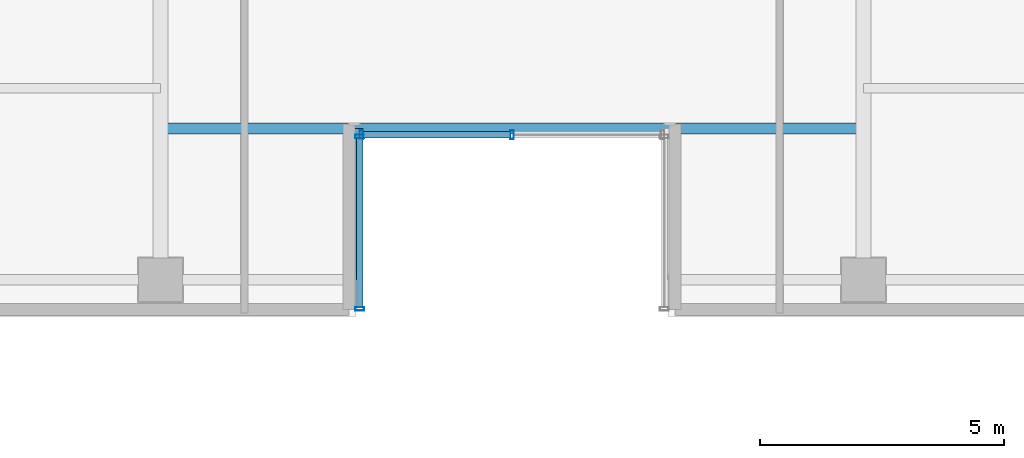
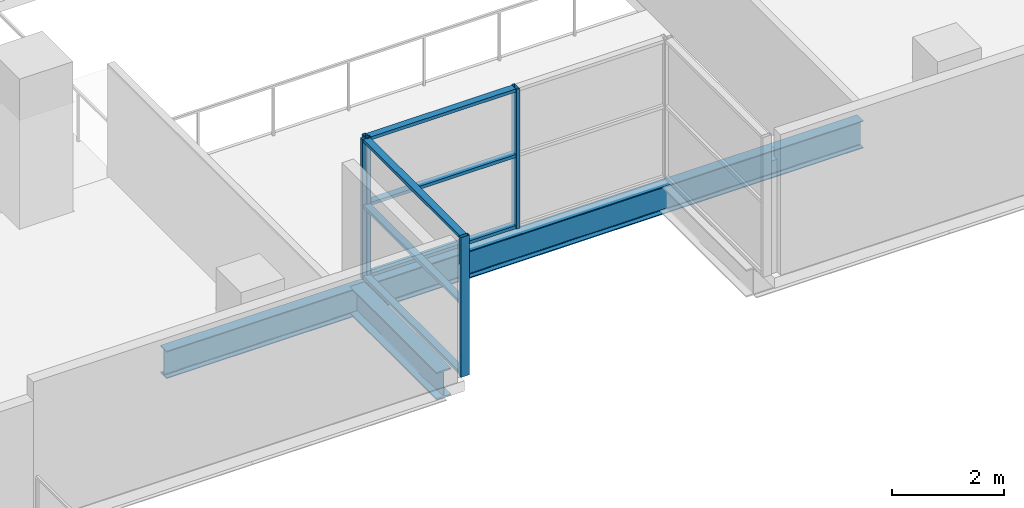
# One storey, part 3 of 32: 10 members, 2 beams, 2 elements without a shape of their own.
"""IFC4 building model written with IfcOpenShell, lengths in metres."""

import ifcopenshell
import ifcopenshell.guid

model = None  # the IFC model being written
_history = None  # IfcOwnerHistory: only IFC2X3 demands one
_inside = {}  # id of a spatial element -> (the spatial element, [elements in it])
_under = {}  # id of a project, library or spatial element -> (it, [spatial elements below it])
_declared = {}  # id of a project -> (the project, [libraries it declares])
_typed = {}  # id of a type object -> (the type object, [elements of that type])
_made_of = {}  # id of a material, layer set ... -> (it, [elements and type objects made of it])


def new_model(schema):
    """Start an empty IFC model of exactly this schema.

    Asked for "IFC4X3", IfcOpenShell would pick the latest addendum, in which some entities
    have other attributes; the version numbers below select the first issue.
    IFC2X3 requires an IfcOwnerHistory on every rooted entity: one is made here for all.
    """
    global model, _history
    if schema == "IFC4X3":
        model = ifcopenshell.file(schema_version=(4, 3, 0, 0))
    else:
        model = ifcopenshell.file(schema=schema)
    _inside.clear()
    _under.clear()
    _declared.clear()
    _typed.clear()
    _made_of.clear()
    _history = None
    if model.schema == "IFC2X3":
        org = make("IfcOrganization", Name="unknown")
        user = make(
            "IfcPersonAndOrganization",
            ThePerson=make("IfcPerson", FamilyName="unknown"),
            TheOrganization=org,
        )
        app = make(
            "IfcApplication",
            ApplicationDeveloper=org,
            Version="unknown",
            ApplicationFullName="unknown",
            ApplicationIdentifier="unknown",
        )
        _history = make(
            "IfcOwnerHistory",
            OwningUser=user,
            OwningApplication=app,
            ChangeAction="ADDED",
            CreationDate=0,
        )
    return model


def make(cls, **values):
    """One entity of the class cls with the attributes given. An attribute that is None is left unset."""
    return model.create_entity(
        cls, **{name: value for name, value in values.items() if value is not None}
    )


def rooted(cls, **values):
    """An entity with a GlobalId (a new one), such as an element, a storey or a relation."""
    return make(cls, GlobalId=ifcopenshell.guid.new(), OwnerHistory=_history, **values)


def si_unit(unit_type, name, prefix=None):
    """IfcSIUnit, for example si_unit("LENGTHUNIT", "METRE", prefix="MILLI")."""
    return make("IfcSIUnit", UnitType=unit_type, Prefix=prefix, Name=name)


def assignment(units):
    """IfcUnitAssignment: the units of a project."""
    return None if units is None else make("IfcUnitAssignment", Units=units)


def point(xyz):
    """IfcCartesianPoint."""
    return None if xyz is None else make("IfcCartesianPoint", Coordinates=xyz)


def direction(xyz):
    """IfcDirection."""
    return None if xyz is None else make("IfcDirection", DirectionRatios=xyz)


def frame(location, z_axis=None, x_axis=None):
    """IfcAxis2Placement3D, a coordinate frame: its origin and axes. An axis left out is left unset."""
    return make(
        "IfcAxis2Placement3D",
        Location=point(location),
        Axis=direction(z_axis),
        RefDirection=direction(x_axis),
    )


def frame_2d(location, x_axis=None):
    """IfcAxis2Placement2D, a coordinate frame in the plane: its origin and x axis."""
    return make(
        "IfcAxis2Placement2D", Location=point(location), RefDirection=direction(x_axis)
    )


def origin():
    """The frame at (0, 0, 0) with its axes left unset."""
    return frame((0.0, 0.0, 0.0))


def origin_2d():
    """The frame at (0, 0) in the plane with its x axis left unset."""
    return frame_2d((0.0, 0.0))


def place(relative_to, where):
    """IfcLocalPlacement: puts the frame where relative to a parent placement (None: the world)."""
    return make(
        "IfcLocalPlacement", PlacementRelTo=relative_to, RelativePlacement=where
    )


def context(
    kind, dimensions, precision=None, world=None, true_north=None, identifier=None
):
    """IfcGeometricRepresentationContext, for example the 3D "Model" context."""
    return make(
        "IfcGeometricRepresentationContext",
        ContextIdentifier=identifier,
        ContextType=kind,
        CoordinateSpaceDimension=dimensions,
        Precision=precision,
        WorldCoordinateSystem=world,
        TrueNorth=true_north,
    )


def subcontext(parent, identifier, kind, view, scale=None):
    """IfcGeometricRepresentationSubContext, for example "Body" below "Model"."""
    return make(
        "IfcGeometricRepresentationSubContext",
        ContextIdentifier=identifier,
        ContextType=kind,
        ParentContext=parent,
        TargetScale=scale,
        TargetView=view,
    )


def project(units=None, contexts=None):
    """IfcProject with its units and contexts."""
    return rooted(
        "IfcProject",
        Name="project",
        RepresentationContexts=contexts,
        UnitsInContext=assignment(units),
    )


def spatial(cls, under=None, at=None, **own):
    """A site, building, storey or space (cls), placed at a placement, below another one or the project."""
    s = rooted(cls, ObjectPlacement=at, **own)
    if under is not None:
        _under.setdefault(under.id(), (under, []))[1].append(s)
    return s


def profile(cls, at=None, kind="AREA", **sizes):
    """A parametric profile (cls). Its sizes go by their IFC names, for example OverallWidth=200.0."""
    return make(cls, ProfileType=kind, Position=at, **sizes)


def hollow_rectangle(**sizes):
    """IfcRectangleHollowProfileDef."""
    return profile("IfcRectangleHollowProfileDef", **sizes)


def i_section(**sizes):
    """IfcIShapeProfileDef."""
    return profile("IfcIShapeProfileDef", **sizes)


def extrude(swept, where, along, depth):
    """IfcExtrudedAreaSolid: the profile swept, set in the frame where, extruded along a direction by depth."""
    return make(
        "IfcExtrudedAreaSolid",
        SweptArea=swept,
        Position=where,
        ExtrudedDirection=direction(along),
        Depth=depth,
    )


def shape(context_of_items, identifier, shape_type, items):
    """IfcShapeRepresentation: the items that make up one representation, for example the "Body"."""
    return make(
        "IfcShapeRepresentation",
        ContextOfItems=context_of_items,
        RepresentationIdentifier=identifier,
        RepresentationType=shape_type,
        Items=items,
    )


def source(mapping_origin, context_of_items, identifier, shape_type, items):
    """IfcRepresentationMap: a shape defined once, which mapped items show again and again."""
    return make(
        "IfcRepresentationMap",
        MappingOrigin=mapping_origin,
        MappedRepresentation=shape(context_of_items, identifier, shape_type, items),
    )


def transform(
    local_origin,
    x_axis=None,
    y_axis=None,
    z_axis=None,
    scale=None,
    scale2=None,
    scale3=None,
    uniform=True,
):
    """IfcCartesianTransformationOperator3D, or its non-uniform kind. x_axis, y_axis, z_axis: its Axis1, 2, 3."""
    if uniform:
        return make(
            "IfcCartesianTransformationOperator3D",
            Axis1=direction(x_axis),
            Axis2=direction(y_axis),
            LocalOrigin=point(local_origin),
            Scale=scale,
            Axis3=direction(z_axis),
        )
    return make(
        "IfcCartesianTransformationOperator3DnonUniform",
        Axis1=direction(x_axis),
        Axis2=direction(y_axis),
        LocalOrigin=point(local_origin),
        Scale=scale,
        Axis3=direction(z_axis),
        Scale2=scale2,
        Scale3=scale3,
    )


def mapped(mapping_source, mapping_target):
    """IfcMappedItem: shows the shape of a source again, moved by a transform."""
    return make(
        "IfcMappedItem", MappingSource=mapping_source, MappingTarget=mapping_target
    )


def material(Name=None, Category=None):
    """IfcMaterial."""
    return make("IfcMaterial", Name=Name, Category=Category)


def layer(
    of_material, thickness, ventilated=None, Name=None, Category=None, Priority=None
):
    """IfcMaterialLayer: one layer of a wall or slab, of a material (None: an air gap)."""
    return make(
        "IfcMaterialLayer",
        Material=of_material,
        LayerThickness=thickness,
        IsVentilated=ventilated,
        Name=Name,
        Category=Category,
        Priority=Priority,
    )


def layer_set(layers, Name=None):
    """IfcMaterialLayerSet."""
    return make("IfcMaterialLayerSet", MaterialLayers=layers, LayerSetName=Name)


def material_profile(
    of_material, cross_section, Name=None, Category=None, Priority=None
):
    """IfcMaterialProfile: a cross section and its material."""
    return make(
        "IfcMaterialProfile",
        Name=Name,
        Material=of_material,
        Profile=cross_section,
        Priority=Priority,
        Category=Category,
    )


def profile_set(profiles, Name=None, composite=None):
    """IfcMaterialProfileSet."""
    return make(
        "IfcMaterialProfileSet",
        Name=Name,
        MaterialProfiles=profiles,
        CompositeProfile=composite,
    )


def made_of(thing, what):
    """Note that an element or type object is made of a material, layer set ...; save() writes the relation."""
    if what is not None:
        _made_of.setdefault(what.id(), (what, []))[1].append(thing)
    return thing


def type_object(cls, material=None, **own):
    """A type object (cls), such as IfcWallType, which elements share."""
    return made_of(rooted(cls, **own), material)


def element(
    cls,
    number,
    at=None,
    inside=None,
    cuts=None,
    type_object=None,
    material=None,
    context=None,
    identifier="Body",
    shape_type=None,
    held_by="IfcProductDefinitionShape",
    body=None,
    shapes=None,
    **own,
):
    """One element of the class cls, such as IfcWall. Its Tag is "e" and its number.

    at: its placement. inside: the storey or other place that contains it. cuts: it is an
    opening in that element (IfcRelVoidsElement). A single representation is given by context,
    identifier, shape_type and body (its items); several are given by shapes. held_by: the class
    of the entity that holds the representations. save() writes the other relations.
    """
    e = rooted(cls, Tag="e%d" % number, ObjectPlacement=at, **own)
    if body is not None:
        shapes = [shape(context, identifier, shape_type, body)]
    if shapes is not None:
        e.Representation = make(held_by, Representations=shapes)
    if inside is not None:
        _inside.setdefault(inside.id(), (inside, []))[1].append(e)
    if cuts is not None:
        rooted(
            "IfcRelVoidsElement", RelatingBuildingElement=cuts, RelatedOpeningElement=e
        )
    if type_object is not None:
        _typed.setdefault(type_object.id(), (type_object, []))[1].append(e)
    return made_of(e, material)


def aggregate(whole, parts):
    """IfcRelAggregates: a whole, such as a stair, and the parts it consists of."""
    return rooted("IfcRelAggregates", RelatingObject=whole, RelatedObjects=parts)


def save(model, path):
    """Write the relations noted so far, then the file.

    IfcRelAggregates (storeys below a building ...), IfcRelContainedInSpatialStructure (elements
    in a storey), IfcRelDefinesByType, IfcRelAssociatesMaterial and IfcRelDeclares: one each for
    every whole, place, type object, material and project.
    """
    for whole, parts in _under.values():
        aggregate(whole, parts)
    for where, things in _inside.values():
        rooted(
            "IfcRelContainedInSpatialStructure",
            RelatedElements=things,
            RelatingStructure=where,
        )
    for kind, things in _typed.values():
        rooted("IfcRelDefinesByType", RelatedObjects=things, RelatingType=kind)
    for what, things in _made_of.values():
        rooted("IfcRelAssociatesMaterial", RelatedObjects=things, RelatingMaterial=what)
    for by, libraries in _declared.values():
        rooted("IfcRelDeclares", RelatingContext=by, RelatedDefinitions=libraries)
    model.write(path)


model = new_model("IFC4")

# Units and contexts
model_context = context("Model", 3, precision=1e-05, world=origin(), true_north=direction((0.0, 1.0)))
body_context = subcontext(model_context, "Body", "Model", "MODEL_VIEW")
ifc_project = project(units=[si_unit("LENGTHUNIT", "METRE"), si_unit("AREAUNIT", "SQUARE_METRE"), si_unit("VOLUMEUNIT", "CUBIC_METRE"), si_unit("PLANEANGLEUNIT", "RADIAN"), si_unit("MASSUNIT", "GRAM", prefix="KILO")], contexts=[model_context])

# Site, building, storey
site_placement = place(None, origin())
site = spatial("IfcSite", under=ifc_project, at=site_placement, CompositionType="ELEMENT")
building_placement = place(site_placement, origin())
building = spatial("IfcBuilding", under=site, at=building_placement, Name="Zarnakvel Exchange Tower", CompositionType="ELEMENT")
storey_placement = place(building_placement, frame((0.0, 0.0, 73.60009765625)))
storey = spatial("IfcBuildingStorey", under=building, at=storey_placement, Name="L20", CompositionType="ELEMENT", Elevation=73.60009765625)

# Beams
ifc_material_1 = material(Name="Steel S355", Category="steel")
ifc_material_profile_1 = material_profile(ifc_material_1, i_section(OverallWidth=0.300048828125, OverallDepth=0.60009765625, WebThickness=0.015380859375, FlangeThickness=0.030029296875, FilletRadius=0.027099609375, at=origin_2d()))
ifc_profile_set_1 = profile_set([ifc_material_profile_1], Name="Steel S355")
beam_type_1 = type_object("IfcBeamType", Name="G-04", PredefinedType="BEAM", material=ifc_profile_set_1)
beam_1_placement = place(storey_placement, frame((-3.199951171875, -17.449951171875, -0.525146484375), z_axis=(0.0, 1.0, 0.0), x_axis=(-1.0, 0.0, 0.0)))
element("IfcBeam", 1, at=beam_1_placement, inside=storey, type_object=beam_type_1, Name="L20 South Slot West Cheek Beam", PredefinedType="BEAM", context=body_context, shape_type="SweptSolid", body=[
    extrude(i_section(OverallWidth=0.300048828125, OverallDepth=0.60009765625, WebThickness=0.015380859375, FlangeThickness=0.030029296875, FilletRadius=0.027099609375, at=origin_2d()), origin(), (0.0, 0.0, 1.0), 3.099853515625),
])
ifc_material_profile_2 = material_profile(ifc_material_1, i_section(OverallWidth=0.219970703125, OverallDepth=0.60009765625, WebThickness=0.011962890625, FlangeThickness=0.01904296875, FilletRadius=0.02392578125, at=origin_2d()))
ifc_profile_set_2 = profile_set([ifc_material_profile_2], Name="Steel S355")
beam_type_2 = type_object("IfcBeamType", Name="SP-01", PredefinedType="SPANDREL", material=ifc_profile_set_2)
beam_2_placement = place(storey_placement, frame((-7.199951171875, -14.35009765625, -0.525146484375), z_axis=(1.0, 0.0, 0.0), x_axis=(0.0, 1.0, 0.0)))
element("IfcBeam", 2, at=beam_2_placement, inside=storey, type_object=beam_type_2, Name="L20 South Slot Head Trimmer Girder", PredefinedType="SPANDREL", context=body_context, shape_type="SweptSolid", body=[
    extrude(i_section(OverallWidth=0.219970703125, OverallDepth=0.60009765625, WebThickness=0.011962890625, FlangeThickness=0.01904296875, FilletRadius=0.02392578125, at=origin_2d()), origin(), (0.0, 0.0, 1.0), 14.39990234375),
])

# Curtain wall, members
ifc_material_2 = material(Name="Architectural Bronze Anodised Aluminium", Category="aluminium")
ifc_layer = layer(ifc_material_2, 0.179931640625)
ifc_layer_set = layer_set([ifc_layer], Name="Architectural Bronze Anodised Aluminium")
curtain_wall_type = type_object("IfcCurtainWallType", Name="CW-05", PredefinedType="NOTDEFINED", material=ifc_layer_set)
curtain_wall_1_placement = place(storey_placement, origin())
curtain_wall_1 = element("IfcCurtainWall", 3, at=curtain_wall_1_placement, inside=storey, type_object=curtain_wall_type, Name="L20 Curtain Wall CW-L20-SLW (CW-05)", PredefinedType="NOTDEFINED")
ifc_material_profile_3 = material_profile(ifc_material_2, hollow_rectangle(XDim=0.139892578125, YDim=0.070068359375, WallThickness=0.00390625, at=origin_2d()))
ifc_profile_set_3 = profile_set([ifc_material_profile_3], Name="Architectural Bronze Anodised Aluminium")
member_type_1 = type_object("IfcMemberType", Name="CWT-05", PredefinedType="USERDEFINED", material=ifc_profile_set_3)
shared_shape_1 = source(origin(), body_context, "Body", "SweptSolid", [
    extrude(hollow_rectangle(XDim=0.139892578125, YDim=0.070068359375, WallThickness=0.00390625, at=origin_2d()), origin(), (0.0, 0.0, 1.0), 3.4599609375),
])
member_1_placement = place(storey_placement, frame((-3.1201171875, -18.010009765625, 0.034912109375), z_axis=(0.0, 1.0, 0.0), x_axis=(-1.0, 0.0, 0.0)))
member_1 = element("IfcMember", 4, at=member_1_placement, type_object=member_type_1, Name="CW-05 transom 1.1", ObjectType="TRANSOM", PredefinedType="USERDEFINED", context=body_context, shape_type="MappedRepresentation", body=[
    mapped(shared_shape_1, transform((0.0, 0.0, 0.0), x_axis=(1.0, 0.0, 0.0), y_axis=(0.0, 1.0, 0.0), z_axis=(0.0, 0.0, 1.0), scale=1.0)),
])
member_2_placement = place(storey_placement, frame((-3.1201171875, -18.010009765625, 1.588623046875), z_axis=(0.0, 1.0, 0.0), x_axis=(-1.0, 0.0, 0.0)))
member_2 = element("IfcMember", 5, at=member_2_placement, type_object=member_type_1, Name="CW-05 transom 1.2", ObjectType="TRANSOM", PredefinedType="USERDEFINED", context=body_context, shape_type="MappedRepresentation", body=[
    mapped(shared_shape_1, transform((0.0, 0.0, 0.0), x_axis=(1.0, 0.0, 0.0), y_axis=(0.0, 1.0, 0.0), z_axis=(0.0, 0.0, 1.0), scale=1.0)),
])
member_3_placement = place(storey_placement, frame((-3.1201171875, -18.010009765625, 3.02001953125), z_axis=(0.0, 1.0, 0.0), x_axis=(-1.0, 0.0, 0.0)))
member_3 = element("IfcMember", 6, at=member_3_placement, type_object=member_type_1, Name="CW-05 transom 1.3", ObjectType="TRANSOM", PredefinedType="USERDEFINED", context=body_context, shape_type="MappedRepresentation", body=[
    mapped(shared_shape_1, transform((0.0, 0.0, 0.0), x_axis=(1.0, 0.0, 0.0), y_axis=(0.0, 1.0, 0.0), z_axis=(0.0, 0.0, 1.0), scale=1.0)),
])

curtain_wall_2_placement = place(storey_placement, origin())
curtain_wall_2 = element("IfcCurtainWall", 7, at=curtain_wall_2_placement, inside=storey, type_object=curtain_wall_type, Name="L20 Curtain Wall CW-L20-SLB (CW-05)", PredefinedType="NOTDEFINED")
shared_shape_2 = source(origin(), body_context, "Body", "SweptSolid", [
    extrude(hollow_rectangle(XDim=0.139892578125, YDim=0.070068359375, WallThickness=0.00390625, at=origin_2d()), origin(), (0.0, 0.0, 1.0), 3.01513671875),
])
member_4_placement = place(storey_placement, frame((-3.050048828125, -14.47998046875, 0.034912109375), z_axis=(1.0, 0.0, 0.0), x_axis=(0.0, 1.0, 0.0)))
member_4 = element("IfcMember", 8, at=member_4_placement, type_object=member_type_1, Name="CW-05 transom 1.1", ObjectType="TRANSOM", PredefinedType="USERDEFINED", context=body_context, shape_type="MappedRepresentation", body=[
    mapped(shared_shape_2, transform((0.0, 0.0, 0.0), x_axis=(1.0, 0.0, 0.0), y_axis=(0.0, 1.0, 0.0), z_axis=(0.0, 0.0, 1.0), scale=1.0)),
])
member_5_placement = place(storey_placement, frame((-3.050048828125, -14.47998046875, 1.588623046875), z_axis=(1.0, 0.0, 0.0), x_axis=(0.0, 1.0, 0.0)))
member_5 = element("IfcMember", 9, at=member_5_placement, type_object=member_type_1, Name="CW-05 transom 1.2", ObjectType="TRANSOM", PredefinedType="USERDEFINED", context=body_context, shape_type="MappedRepresentation", body=[
    mapped(shared_shape_2, transform((0.0, 0.0, 0.0), x_axis=(1.0, 0.0, 0.0), y_axis=(0.0, 1.0, 0.0), z_axis=(0.0, 0.0, 1.0), scale=1.0)),
])
member_6_placement = place(storey_placement, frame((-3.050048828125, -14.47998046875, 3.02001953125), z_axis=(1.0, 0.0, 0.0), x_axis=(0.0, 1.0, 0.0)))
member_6 = element("IfcMember", 10, at=member_6_placement, type_object=member_type_1, Name="CW-05 transom 1.3", ObjectType="TRANSOM", PredefinedType="USERDEFINED", context=body_context, shape_type="MappedRepresentation", body=[
    mapped(shared_shape_2, transform((0.0, 0.0, 0.0), x_axis=(1.0, 0.0, 0.0), y_axis=(0.0, 1.0, 0.0), z_axis=(0.0, 0.0, 1.0), scale=1.0)),
])

# Member
ifc_material_profile_4 = material_profile(ifc_material_2, hollow_rectangle(XDim=0.179931640625, YDim=0.070068359375, WallThickness=0.00390625, at=origin_2d()))
ifc_profile_set_4 = profile_set([ifc_material_profile_4], Name="Architectural Bronze Anodised Aluminium")
member_type_2 = type_object("IfcMemberType", Name="CWM-05", PredefinedType="MULLION", material=ifc_profile_set_4)
shared_shape_3 = source(origin(), body_context, "Body", "SweptSolid", [
    extrude(hollow_rectangle(XDim=0.179931640625, YDim=0.070068359375, WallThickness=0.00390625, at=origin_2d()), origin(), (0.0, 0.0, 1.0), 3.054931640625),
])
member_7_placement = place(storey_placement, frame((-3.1201171875, -18.044921875, 0.0), z_axis=(0.0, 0.0, 1.0), x_axis=(-1.0, 0.0, 0.0)))
member_7 = element("IfcMember", 11, at=member_7_placement, type_object=member_type_2, Name="CW-05 mullion 1", PredefinedType="MULLION", context=body_context, shape_type="MappedRepresentation", body=[
    mapped(shared_shape_3, transform((0.0, 0.0, 0.0), x_axis=(1.0, 0.0, 0.0), y_axis=(0.0, 1.0, 0.0), z_axis=(0.0, 0.0, 1.0), scale=1.0)),
])

member_8_placement = place(storey_placement, frame((-3.1201171875, -14.514892578125, 0.0), z_axis=(0.0, 0.0, 1.0), x_axis=(-1.0, 0.0, 0.0)))
member_8 = element("IfcMember", 12, at=member_8_placement, type_object=member_type_2, Name="CW-05 mullion 2", PredefinedType="MULLION", context=body_context, shape_type="MappedRepresentation", body=[
    mapped(shared_shape_3, transform((0.0, 0.0, 0.0), x_axis=(1.0, 0.0, 0.0), y_axis=(0.0, 1.0, 0.0), z_axis=(0.0, 0.0, 1.0), scale=1.0)),
])

aggregate(curtain_wall_1, [member_7, member_8, member_1, member_2, member_3])

member_9_placement = place(storey_placement, frame((-3.0849609375, -14.47998046875, 0.0), z_axis=(0.0, 0.0, 1.0), x_axis=(0.0, 1.0, 0.0)))
member_9 = element("IfcMember", 13, at=member_9_placement, type_object=member_type_2, Name="CW-05 mullion 1", PredefinedType="MULLION", context=body_context, shape_type="MappedRepresentation", body=[
    mapped(shared_shape_3, transform((0.0, 0.0, 0.0), x_axis=(1.0, 0.0, 0.0), y_axis=(0.0, 1.0, 0.0), z_axis=(0.0, 0.0, 1.0), scale=1.0)),
])

member_10_placement = place(storey_placement, frame((0.0, -14.47998046875, 0.0), z_axis=(0.0, 0.0, 1.0), x_axis=(0.0, 1.0, 0.0)))
member_10 = element("IfcMember", 14, at=member_10_placement, type_object=member_type_2, Name="CW-05 mullion 2", PredefinedType="MULLION", context=body_context, shape_type="MappedRepresentation", body=[
    mapped(shared_shape_3, transform((0.0, 0.0, 0.0), x_axis=(1.0, 0.0, 0.0), y_axis=(0.0, 1.0, 0.0), z_axis=(0.0, 0.0, 1.0), scale=1.0)),
])

aggregate(curtain_wall_2, [member_9, member_10, member_4, member_5, member_6])

save(model, "model.ifc")
